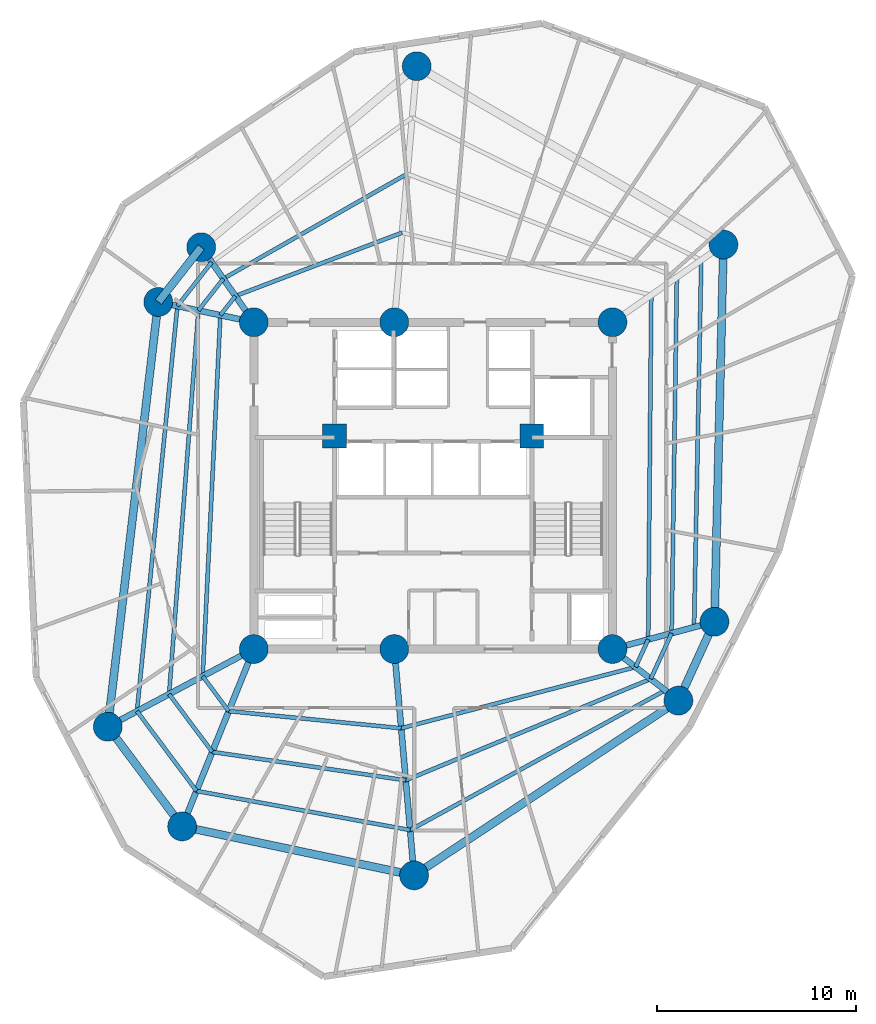
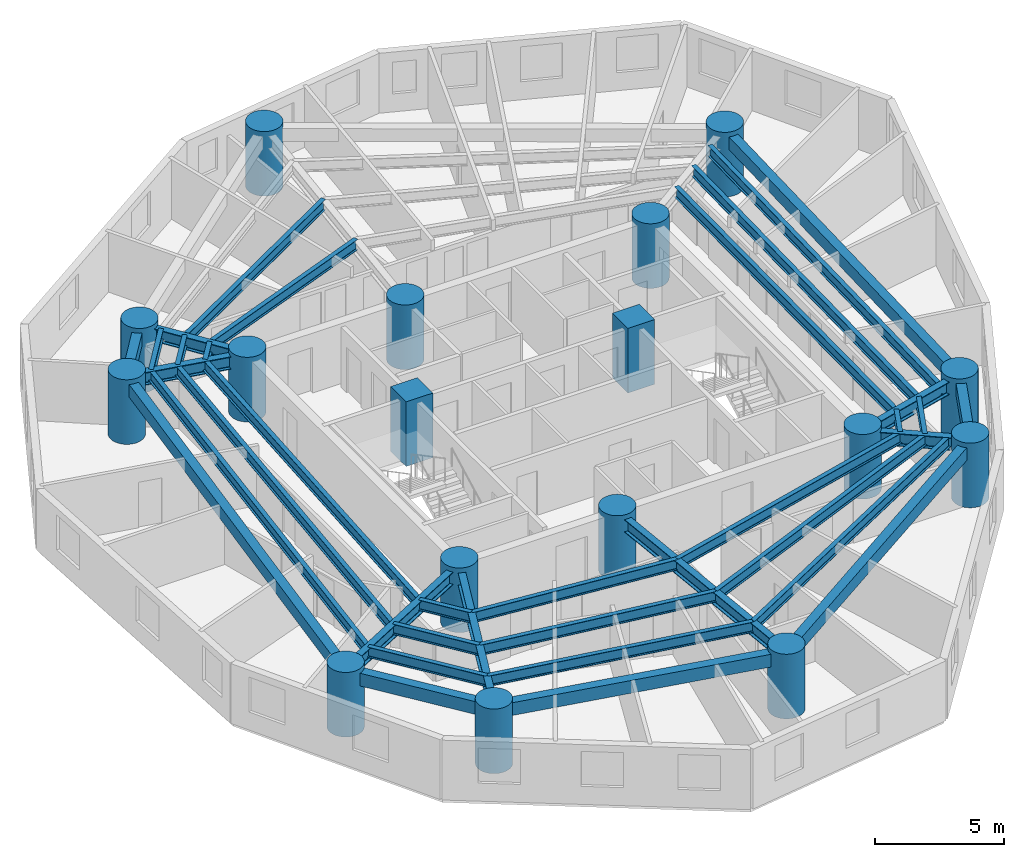
# One storey, part 1 of 8: 36 beams, 17 columns.
"""IFC4 building model written with IfcOpenShell, lengths in metres."""

from ifc_helpers import new_model, si_unit, direction, frame, origin, origin_with_axes, origin_2d, place, context, subcontext, project, spatial, rectangle, circle, i_section, extrude, source, transform, mapped, material, material_profile, profile_set, type_object, element, save


model = new_model("IFC4")

# Units and contexts
model_context = context("Model", 3, precision=1e-05, world=origin(), true_north=direction((0.0, 1.0)))
body_context = subcontext(model_context, "Body", "Model", "MODEL_VIEW")
ifc_project = project(units=[si_unit("LENGTHUNIT", "METRE"), si_unit("AREAUNIT", "SQUARE_METRE"), si_unit("VOLUMEUNIT", "CUBIC_METRE"), si_unit("PLANEANGLEUNIT", "RADIAN"), si_unit("MASSUNIT", "GRAM", prefix="KILO")], contexts=[model_context])

# Site, building, storey
site_placement = place(None, origin())
site = spatial("IfcSite", under=ifc_project, at=site_placement, CompositionType="ELEMENT")
building_placement = place(site_placement, origin())
building = spatial("IfcBuilding", under=site, at=building_placement, Name="Karkom Vertical University and Central Library", CompositionType="ELEMENT")
storey_placement = place(building_placement, frame((0.0, 0.0, 120.60009765625)))
storey = spatial("IfcBuildingStorey", under=building, at=storey_placement, Name="L33", CompositionType="ELEMENT", Elevation=120.60009765625)

# Columns
ifc_material_1 = material(Name="Concrete C50/60", Category="concrete")
ifc_material_profile_1 = material_profile(ifc_material_1, circle(Radius=0.72509765625, at=origin_2d()), Name="CFT-D1450")
ifc_profile_set_1 = profile_set([ifc_material_profile_1], Name="Concrete C50/60")
column_type_1 = type_object("IfcColumnType", Name="STR-COL-C-SC3", PredefinedType="COLUMN", material=ifc_profile_set_1)
shared_shape_1 = source(origin_with_axes(), body_context, "Body", "SweptSolid", [
    extrude(circle(Radius=0.72509765625, at=origin_2d()), origin(), (0.0, 0.0, 1.0), 3.0498046875),
])
for number, where, z_axis, x_axis, name in (
    (1, (19.5, 18.300048828125, 0.0), (0.0, 0.0, 1.0), (1.0, 0.0, 0.0), "Level 33 Spine Mega-Column SC-1"),
    (2, (26.550048828125, 18.300048828125, 0.0), (0.0, 0.0, 1.0), (1.0, 0.0, 0.0), "Level 33 Spine Mega-Column SC-2"),
    (3, (37.5, 18.300048828125, 0.0), (0.0, 0.0, 1.0), (1.0, 0.0, 0.0), "Level 33 Spine Mega-Column SC-3"),
    (4, (19.5, 34.699951171875, 0.0), (0.0, 0.0, 1.0), (1.0, 0.0, 0.0), "Level 33 Spine Mega-Column SC-4"),
    (5, (26.550048828125, 34.699951171875, 0.0), (0.0, 0.0, 1.0), (1.0, 0.0, 0.0), "Level 33 Spine Mega-Column SC-5"),
    (6, (37.5, 34.699951171875, 0.0), (0.0, 0.0, 1.0), (1.0, 0.0, 0.0), "Level 33 Spine Mega-Column SC-6"),
    (7, (42.618896484375, 19.672119140625, 0.0), (0.0, 0.0, 1.0), (1.0, 0.0, 0.0), "Level 33 Perimeter Mega-Column Z2-PC1"),
    (8, (43.070068359375, 38.60009765625, 0.0), (0.0, 0.0, 1.0), (1.0, 0.0, 0.0), "Level 33 Perimeter Mega-Column Z2-PC2"),
    (9, (27.674072265625, 47.551025390625, 0.0), (0.0, 0.0, 1.0), (1.0, 0.0, 0.0), "Level 33 Perimeter Mega-Column Z2-PC3"),
    (10, (16.862060546875, 38.468017578125, 0.0), (0.0, 0.0, 1.0), (1.0, 0.0, 0.0), "Level 33 Perimeter Mega-Column Z2-PC4"),
    (11, (14.70703125, 35.718994140625, 0.0), (0.0, 0.0, 1.0), (1.0, 0.0, 0.0), "Level 33 Perimeter Mega-Column Z2-PC5"),
    (12, (12.172119140625, 14.403076171875, 0.0), (0.0, 0.0, 1.0), (1.0, 0.0, 0.0), "Level 33 Perimeter Mega-Column Z2-PC6"),
    (13, (15.904052734375, 9.39892578125, 0.0), (0.0, 0.0, 1.0), (1.0, 0.0, 0.0), "Level 33 Perimeter Mega-Column Z2-PC7"),
    (14, (27.5439453125, 6.943115234375, 0.0), (0.0, 0.0, 1.0), (1.0, 0.0, 0.0), "Level 33 Perimeter Mega-Column Z2-PC8"),
    (15, (40.81005859375, 15.714111328125, 0.0), (0.0, 0.0, 1.0), (1.0, 0.0, 0.0), "Level 33 Perimeter Mega-Column Z2-PC9"),
):
    element("IfcColumn", number, at=place(storey_placement, frame(where, z_axis=z_axis, x_axis=x_axis)), inside=storey, type_object=column_type_1, Name=name, PredefinedType="COLUMN", context=body_context, shape_type="MappedRepresentation", body=[
        mapped(shared_shape_1, transform((0.0, 0.0, 0.0), scale=1.0)),
    ])
ifc_material_profile_2 = material_profile(ifc_material_1, rectangle(XDim=1.199951171875, YDim=1.199951171875, at=origin_2d()), Name="RC-1200x1200")
ifc_profile_set_2 = profile_set([ifc_material_profile_2], Name="Concrete C50/60")
column_type_2 = type_object("IfcColumnType", Name="STR-COL-C-CC1", PredefinedType="COLUMN", material=ifc_profile_set_2)
shared_shape_2 = source(origin_with_axes(), body_context, "Body", "SweptSolid", [
    extrude(rectangle(XDim=1.199951171875, YDim=1.199951171875, at=origin_2d()), origin(), (0.0, 0.0, 1.0), 3.0498046875),
])
for number, where, z_axis, x_axis, name in (
    (16, (23.550048828125, 29.0, 0.0), (0.0, 0.0, 1.0), (1.0, 0.0, 0.0), "Level 33 Core Node Column CC-1"),
    (17, (33.449951171875, 29.0, 0.0), (0.0, 0.0, 1.0), (1.0, 0.0, 0.0), "Level 33 Core Node Column CC-2"),
):
    element("IfcColumn", number, at=place(storey_placement, frame(where, z_axis=z_axis, x_axis=x_axis)), inside=storey, type_object=column_type_2, Name=name, PredefinedType="COLUMN", context=body_context, shape_type="MappedRepresentation", body=[
        mapped(shared_shape_2, transform((0.0, 0.0, 0.0), scale=1.0)),
    ])

# Beams
ifc_material_2 = material(Name="Precast concrete C45/55", Category="concrete")
ifc_material_profile_3 = material_profile(ifc_material_2, rectangle(XDim=0.39990234375, YDim=0.60009765625, at=origin_2d()), Name="SPB-400x600")
ifc_profile_set_3 = profile_set([ifc_material_profile_3], Name="Precast concrete C45/55")
beam_type_1 = type_object("IfcBeamType", Name="STR-BM-SP-1", PredefinedType="SPANDREL", material=ifc_profile_set_3)
shared_shape_3 = source(origin_with_axes(), body_context, "Body", "SweptSolid", [
    extrude(rectangle(XDim=0.39990234375, YDim=0.60009765625, at=origin_2d()), origin(), (0.0, 0.0, 1.0), 18.933349609375),
])
beam_1_placement = place(storey_placement, frame((42.618896484375, 19.672119140625, 2.52490234375), z_axis=(0.02382947333, 0.999716037783, 0.0), x_axis=(-0.999716037783, 0.02382947333, 0.0)))
element("IfcBeam", 18, at=beam_1_placement, inside=storey, type_object=beam_type_1, Name="Level 33 Perimeter Spandrel Beam 01", PredefinedType="SPANDREL", context=body_context, shape_type="MappedRepresentation", body=[
    mapped(shared_shape_3, transform((0.0, 0.0, 0.0), scale=1.0)),
])
shared_shape_4 = source(origin_with_axes(), body_context, "Body", "SweptSolid", [
    extrude(rectangle(XDim=0.39990234375, YDim=0.60009765625, at=origin_2d()), origin(), (0.0, 0.0, 1.0), 3.492919921875),
])
beam_2_placement = place(storey_placement, frame((16.862060546875, 38.468017578125, 2.52490234375), z_axis=(-0.616950700538, -0.787001799938, 0.0), x_axis=(0.787001799938, -0.616950700538, 0.0)))
element("IfcBeam", 19, at=beam_2_placement, inside=storey, type_object=beam_type_1, Name="Level 33 Perimeter Spandrel Beam 04", PredefinedType="SPANDREL", context=body_context, shape_type="MappedRepresentation", body=[
    mapped(shared_shape_4, transform((0.0, 0.0, 0.0), scale=1.0)),
])
shared_shape_5 = source(origin_with_axes(), body_context, "Body", "SweptSolid", [
    extrude(rectangle(XDim=0.39990234375, YDim=0.60009765625, at=origin_2d()), origin(), (0.0, 0.0, 1.0), 21.466064453125),
])
beam_3_placement = place(storey_placement, frame((14.70703125, 35.718994140625, 2.52490234375), z_axis=(-0.118088996795, -0.993003015522, 0.0), x_axis=(0.993003015522, -0.118088996795, 0.0)))
element("IfcBeam", 20, at=beam_3_placement, inside=storey, type_object=beam_type_1, Name="Level 33 Perimeter Spandrel Beam 05", PredefinedType="SPANDREL", context=body_context, shape_type="MappedRepresentation", body=[
    mapped(shared_shape_5, transform((0.0, 0.0, 0.0), scale=1.0)),
])
shared_shape_6 = source(origin_with_axes(), body_context, "Body", "SweptSolid", [
    extrude(rectangle(XDim=0.39990234375, YDim=0.60009765625, at=origin_2d()), origin(), (0.0, 0.0, 1.0), 6.242431640625),
])
beam_4_placement = place(storey_placement, frame((12.172119140625, 14.403076171875, 2.52490234375), z_axis=(0.59782643552, -0.801625569074, 0.0), x_axis=(0.801625569074, 0.59782643552, 0.0)))
element("IfcBeam", 21, at=beam_4_placement, inside=storey, type_object=beam_type_1, Name="Level 33 Perimeter Spandrel Beam 06", PredefinedType="SPANDREL", context=body_context, shape_type="MappedRepresentation", body=[
    mapped(shared_shape_6, transform((0.0, 0.0, 0.0), scale=1.0)),
])
shared_shape_7 = source(origin_with_axes(), body_context, "Body", "SweptSolid", [
    extrude(rectangle(XDim=0.39990234375, YDim=0.60009765625, at=origin_2d()), origin(), (0.0, 0.0, 1.0), 11.896240234375),
])
beam_5_placement = place(storey_placement, frame((15.904052734375, 9.39892578125, 2.52490234375), z_axis=(0.978459762135, -0.206437627101, 0.0), x_axis=(0.206437627101, 0.978459762135, 0.0)))
element("IfcBeam", 22, at=beam_5_placement, inside=storey, type_object=beam_type_1, Name="Level 33 Perimeter Spandrel Beam 07", PredefinedType="SPANDREL", context=body_context, shape_type="MappedRepresentation", body=[
    mapped(shared_shape_7, transform((0.0, 0.0, 0.0), scale=1.0)),
])
shared_shape_8 = source(origin_with_axes(), body_context, "Body", "SweptSolid", [
    extrude(rectangle(XDim=0.39990234375, YDim=0.60009765625, at=origin_2d()), origin(), (0.0, 0.0, 1.0), 15.903564453125),
])
beam_6_placement = place(storey_placement, frame((27.5439453125, 6.943115234375, 2.52490234375), z_axis=(0.834165069331, 0.551514856652, 0.0), x_axis=(-0.551514856652, 0.834165069331, 0.0)))
element("IfcBeam", 23, at=beam_6_placement, inside=storey, type_object=beam_type_1, Name="Level 33 Perimeter Spandrel Beam 08", PredefinedType="SPANDREL", context=body_context, shape_type="MappedRepresentation", body=[
    mapped(shared_shape_8, transform((0.0, 0.0, 0.0), scale=1.0)),
])
shared_shape_9 = source(origin_with_axes(), body_context, "Body", "SweptSolid", [
    extrude(rectangle(XDim=0.39990234375, YDim=0.60009765625, at=origin_2d()), origin(), (0.0, 0.0, 1.0), 4.351806640625),
])
beam_7_placement = place(storey_placement, frame((40.81005859375, 15.714111328125, 2.52490234375), z_axis=(0.415657668422, 0.909521139217, 0.0), x_axis=(-0.909521139217, 0.415657668422, 0.0)))
element("IfcBeam", 24, at=beam_7_placement, inside=storey, type_object=beam_type_1, Name="Level 33 Perimeter Spandrel Beam 09", PredefinedType="SPANDREL", context=body_context, shape_type="MappedRepresentation", body=[
    mapped(shared_shape_9, transform((0.0, 0.0, 0.0), scale=1.0)),
])
ifc_material_3 = material(Name="Steel S355", Category="steel")
ifc_material_profile_4 = material_profile(ifc_material_3, i_section(OverallWidth=0.199951171875, OverallDepth=0.5, WebThickness=0.01025390625, FlangeThickness=0.01611328125, FilletRadius=0.02099609375, at=origin_2d()), Name="IPE 500")
ifc_profile_set_4 = profile_set([ifc_material_profile_4], Name="Steel S355")
beam_type_2 = type_object("IfcBeamType", Name="STR-BM-SB-IPE500", PredefinedType="BEAM", material=ifc_profile_set_4)
shared_shape_10 = source(origin_with_axes(), body_context, "Body", "SweptSolid", [
    extrude(i_section(OverallWidth=0.199951171875, OverallDepth=0.5, WebThickness=0.01025390625, FlangeThickness=0.01611328125, FilletRadius=0.02099609375, at=origin_2d()), origin(), (0.0, 0.0, 1.0), 17.285400390625),
])
beam_8_placement = place(storey_placement, frame((39.29150390625, 18.7802734375, 2.574951171875), z_axis=(0.009138294648, 0.999958244914, 0.0), x_axis=(-0.999958244914, 0.009138294648, 0.0)))
element("IfcBeam", 25, at=beam_8_placement, inside=storey, type_object=beam_type_2, Name="Level 33 Secondary Composite Floor Beam 1.01", PredefinedType="BEAM", context=body_context, shape_type="MappedRepresentation", body=[
    mapped(shared_shape_10, transform((0.0, 0.0, 0.0), scale=1.0)),
])
shared_shape_11 = source(origin_with_axes(), body_context, "Body", "SweptSolid", [
    extrude(i_section(OverallWidth=0.199951171875, OverallDepth=0.5, WebThickness=0.01025390625, FlangeThickness=0.01611328125, FilletRadius=0.02099609375, at=origin_2d()), origin(), (0.0, 0.0, 1.0), 8.950439453125),
])
beam_9_placement = place(storey_placement, frame((26.943359375, 39.197998046875, 2.574951171875), z_axis=(-0.93478901494, -0.355203459368, 0.0), x_axis=(0.355203459368, -0.93478901494, 0.0)))
element("IfcBeam", 26, at=beam_9_placement, inside=storey, type_object=beam_type_2, Name="Level 33 Secondary Composite Floor Beam 1.03", PredefinedType="BEAM", context=body_context, shape_type="MappedRepresentation", body=[
    mapped(shared_shape_11, transform((0.0, 0.0, 0.0), scale=1.0)),
])
shared_shape_12 = source(origin_with_axes(), body_context, "Body", "SweptSolid", [
    extrude(i_section(OverallWidth=0.199951171875, OverallDepth=0.5, WebThickness=0.01025390625, FlangeThickness=0.01611328125, FilletRadius=0.02099609375, at=origin_2d()), origin(), (0.0, 0.0, 1.0), 1.222412109375),
])
beam_10_placement = place(storey_placement, frame((18.57666015625, 36.018798828125, 2.574951171875), z_axis=(-0.616895037184, -0.787045432677, 0.0), x_axis=(0.787045432677, -0.616895037184, 0.0)))
element("IfcBeam", 27, at=beam_10_placement, inside=storey, type_object=beam_type_2, Name="Level 33 Secondary Composite Floor Beam 1.04", PredefinedType="BEAM", context=body_context, shape_type="MappedRepresentation", body=[
    mapped(shared_shape_12, transform((0.0, 0.0, 0.0), scale=1.0)),
])
shared_shape_13 = source(origin_with_axes(), body_context, "Body", "SweptSolid", [
    extrude(i_section(OverallWidth=0.199951171875, OverallDepth=0.5, WebThickness=0.01025390625, FlangeThickness=0.01611328125, FilletRadius=0.02099609375, at=origin_2d()), origin(), (0.0, 0.0, 1.0), 18.142333984375),
])
beam_11_placement = place(storey_placement, frame((17.822509765625, 35.056640625, 2.574951171875), z_axis=(-0.048902644774, -0.998803549921, 0.0), x_axis=(0.998803549921, -0.048902644774, 0.0)))
element("IfcBeam", 28, at=beam_11_placement, inside=storey, type_object=beam_type_2, Name="Level 33 Secondary Composite Floor Beam 1.05", PredefinedType="BEAM", context=body_context, shape_type="MappedRepresentation", body=[
    mapped(shared_shape_13, transform((0.0, 0.0, 0.0), scale=1.0)),
])
shared_shape_14 = source(origin_with_axes(), body_context, "Body", "SweptSolid", [
    extrude(i_section(OverallWidth=0.199951171875, OverallDepth=0.5, WebThickness=0.01025390625, FlangeThickness=0.01611328125, FilletRadius=0.02099609375, at=origin_2d()), origin(), (0.0, 0.0, 1.0), 2.1845703125),
])
beam_12_placement = place(storey_placement, frame((16.935302734375, 16.93603515625, 2.574951171875), z_axis=(0.597870130664, -0.801592980795, 0.0), x_axis=(0.801592980795, 0.597870130664, 0.0)))
element("IfcBeam", 29, at=beam_12_placement, inside=storey, type_object=beam_type_2, Name="Level 33 Secondary Composite Floor Beam 1.06", PredefinedType="BEAM", context=body_context, shape_type="MappedRepresentation", body=[
    mapped(shared_shape_14, transform((0.0, 0.0, 0.0), scale=1.0)),
])
shared_shape_15 = source(origin_with_axes(), body_context, "Body", "SweptSolid", [
    extrude(i_section(OverallWidth=0.199951171875, OverallDepth=0.5, WebThickness=0.01025390625, FlangeThickness=0.01611328125, FilletRadius=0.02099609375, at=origin_2d()), origin(), (0.0, 0.0, 1.0), 8.698974609375),
])
beam_13_placement = place(storey_placement, frame((18.241455078125, 15.184814453125, 2.574951171875), z_axis=(0.995105588045, -0.098817349903, 0.0), x_axis=(0.098817349903, 0.995105588045, 0.0)))
element("IfcBeam", 30, at=beam_13_placement, inside=storey, type_object=beam_type_2, Name="Level 33 Secondary Composite Floor Beam 1.07", PredefinedType="BEAM", context=body_context, shape_type="MappedRepresentation", body=[
    mapped(shared_shape_15, transform((0.0, 0.0, 0.0), scale=1.0)),
])
shared_shape_16 = source(origin_with_axes(), body_context, "Body", "SweptSolid", [
    extrude(i_section(OverallWidth=0.199951171875, OverallDepth=0.5, WebThickness=0.01025390625, FlangeThickness=0.01611328125, FilletRadius=0.02099609375, at=origin_2d()), origin(), (0.0, 0.0, 1.0), 12.154541015625),
])
beam_14_placement = place(storey_placement, frame((26.89794921875, 14.3251953125, 2.574951171875), z_axis=(0.967579719768, 0.252565805077, 0.0), x_axis=(-0.252565805077, 0.967579719768, 0.0)))
element("IfcBeam", 31, at=beam_14_placement, inside=storey, type_object=beam_type_2, Name="Level 33 Secondary Composite Floor Beam 1.08", PredefinedType="BEAM", context=body_context, shape_type="MappedRepresentation", body=[
    mapped(shared_shape_16, transform((0.0, 0.0, 0.0), scale=1.0)),
])
shared_shape_17 = source(origin_with_axes(), body_context, "Body", "SweptSolid", [
    extrude(i_section(OverallWidth=0.199951171875, OverallDepth=0.5, WebThickness=0.01025390625, FlangeThickness=0.01611328125, FilletRadius=0.02099609375, at=origin_2d()), origin(), (0.0, 0.0, 1.0), 1.52294921875),
])
beam_15_placement = place(storey_placement, frame((38.658447265625, 17.39501953125, 2.574951171875), z_axis=(0.415649898107, 0.909524690266, 0.0), x_axis=(-0.909524690266, 0.415649898107, 0.0)))
element("IfcBeam", 32, at=beam_15_placement, inside=storey, type_object=beam_type_2, Name="Level 33 Secondary Composite Floor Beam 1.09", PredefinedType="BEAM", context=body_context, shape_type="MappedRepresentation", body=[
    mapped(shared_shape_17, transform((0.0, 0.0, 0.0), scale=1.0)),
])
shared_shape_18 = source(origin_with_axes(), body_context, "Body", "SweptSolid", [
    extrude(i_section(OverallWidth=0.199951171875, OverallDepth=0.5, WebThickness=0.01025390625, FlangeThickness=0.01611328125, FilletRadius=0.02099609375, at=origin_2d()), origin(), (0.0, 0.0, 1.0), 17.8681640625),
])
beam_16_placement = place(storey_placement, frame((40.468994140625, 19.095703125, 2.574951171875), z_axis=(0.014647239676, 0.999892723431, 0.0), x_axis=(-0.999892723431, 0.014647239676, 0.0)))
element("IfcBeam", 33, at=beam_16_placement, inside=storey, type_object=beam_type_2, Name="Level 33 Secondary Composite Floor Beam 2.01", PredefinedType="BEAM", context=body_context, shape_type="MappedRepresentation", body=[
    mapped(shared_shape_18, transform((0.0, 0.0, 0.0), scale=1.0)),
])
shared_shape_19 = source(origin_with_axes(), body_context, "Body", "SweptSolid", [
    extrude(i_section(OverallWidth=0.199951171875, OverallDepth=0.5, WebThickness=0.01025390625, FlangeThickness=0.01611328125, FilletRadius=0.02099609375, at=origin_2d()), origin(), (0.0, 0.0, 1.0), 10.629150390625),
])
beam_17_placement = place(storey_placement, frame((27.201904296875, 42.153564453125, 2.574951171875), z_axis=(-0.868539813491, -0.495619402748, 0.0), x_axis=(0.495619402748, -0.868539813491, 0.0)))
element("IfcBeam", 34, at=beam_17_placement, inside=storey, type_object=beam_type_2, Name="Level 33 Secondary Composite Floor Beam 2.03", PredefinedType="BEAM", context=body_context, shape_type="MappedRepresentation", body=[
    mapped(shared_shape_19, transform((0.0, 0.0, 0.0), scale=1.0)),
])
shared_shape_20 = source(origin_with_axes(), body_context, "Body", "SweptSolid", [
    extrude(i_section(OverallWidth=0.199951171875, OverallDepth=0.5, WebThickness=0.01025390625, FlangeThickness=0.01611328125, FilletRadius=0.02099609375, at=origin_2d()), origin(), (0.0, 0.0, 1.0), 2.02587890625),
])
beam_18_placement = place(storey_placement, frame((17.969970703125, 36.885498046875, 2.574951171875), z_axis=(-0.616889733535, -0.787049589708, 0.0), x_axis=(0.787049589708, -0.616889733535, 0.0)))
element("IfcBeam", 35, at=beam_18_placement, inside=storey, type_object=beam_type_2, Name="Level 33 Secondary Composite Floor Beam 2.04", PredefinedType="BEAM", context=body_context, shape_type="MappedRepresentation", body=[
    mapped(shared_shape_20, transform((0.0, 0.0, 0.0), scale=1.0)),
])
shared_shape_21 = source(origin_with_axes(), body_context, "Body", "SweptSolid", [
    extrude(i_section(OverallWidth=0.199951171875, OverallDepth=0.5, WebThickness=0.01025390625, FlangeThickness=0.01611328125, FilletRadius=0.02099609375, at=origin_2d()), origin(), (0.0, 0.0, 1.0), 19.307373046875),
])
beam_19_placement = place(storey_placement, frame((16.72021484375, 35.291015625, 2.574951171875), z_axis=(-0.07616078645, -0.997095549387, 0.0), x_axis=(0.997095549387, -0.07616078645, 0.0)))
element("IfcBeam", 36, at=beam_19_placement, inside=storey, type_object=beam_type_2, Name="Level 33 Secondary Composite Floor Beam 2.05", PredefinedType="BEAM", context=body_context, shape_type="MappedRepresentation", body=[
    mapped(shared_shape_21, transform((0.0, 0.0, 0.0), scale=1.0)),
])
shared_shape_22 = source(origin_with_axes(), body_context, "Body", "SweptSolid", [
    extrude(i_section(OverallWidth=0.199951171875, OverallDepth=0.5, WebThickness=0.01025390625, FlangeThickness=0.01611328125, FilletRadius=0.02099609375, at=origin_2d()), origin(), (0.0, 0.0, 1.0), 3.62060546875),
])
beam_20_placement = place(storey_placement, frame((15.249755859375, 16.039794921875, 2.574951171875), z_axis=(0.59784003707, -0.801615425298, 0.0), x_axis=(0.801615425298, 0.59784003707, 0.0)))
element("IfcBeam", 37, at=beam_20_placement, inside=storey, type_object=beam_type_2, Name="Level 33 Secondary Composite Floor Beam 2.06", PredefinedType="BEAM", context=body_context, shape_type="MappedRepresentation", body=[
    mapped(shared_shape_22, transform((0.0, 0.0, 0.0), scale=1.0)),
])
shared_shape_23 = source(origin_with_axes(), body_context, "Body", "SweptSolid", [
    extrude(i_section(OverallWidth=0.199951171875, OverallDepth=0.5, WebThickness=0.01025390625, FlangeThickness=0.01611328125, FilletRadius=0.02099609375, at=origin_2d()), origin(), (0.0, 0.0, 1.0), 9.816162109375),
])
beam_21_placement = place(storey_placement, frame((17.414306640625, 13.137451171875, 2.574951171875), z_axis=(0.989413295367, -0.145125225069, 0.0), x_axis=(0.145125225069, 0.989413295367, 0.0)))
element("IfcBeam", 38, at=beam_21_placement, inside=storey, type_object=beam_type_2, Name="Level 33 Secondary Composite Floor Beam 2.07", PredefinedType="BEAM", context=body_context, shape_type="MappedRepresentation", body=[
    mapped(shared_shape_23, transform((0.0, 0.0, 0.0), scale=1.0)),
])
shared_shape_24 = source(origin_with_axes(), body_context, "Body", "SweptSolid", [
    extrude(i_section(OverallWidth=0.199951171875, OverallDepth=0.5, WebThickness=0.01025390625, FlangeThickness=0.01611328125, FilletRadius=0.02099609375, at=origin_2d()), origin(), (0.0, 0.0, 1.0), 13.304443359375),
])
beam_22_placement = place(storey_placement, frame((27.12646484375, 11.712890625, 2.574951171875), z_axis=(0.924011243398, 0.382365299255, 0.0), x_axis=(-0.382365299255, 0.924011243398, 0.0)))
element("IfcBeam", 39, at=beam_22_placement, inside=storey, type_object=beam_type_2, Name="Level 33 Secondary Composite Floor Beam 2.08", PredefinedType="BEAM", context=body_context, shape_type="MappedRepresentation", body=[
    mapped(shared_shape_24, transform((0.0, 0.0, 0.0), scale=1.0)),
])
shared_shape_25 = source(origin_with_axes(), body_context, "Body", "SweptSolid", [
    extrude(i_section(OverallWidth=0.199951171875, OverallDepth=0.5, WebThickness=0.01025390625, FlangeThickness=0.01611328125, FilletRadius=0.02099609375, at=origin_2d()), origin(), (0.0, 0.0, 1.0), 2.52392578125),
])
beam_23_placement = place(storey_placement, frame((39.419921875, 16.800048828125, 2.574951171875), z_axis=(0.415638602127, 0.909529852408, 0.0), x_axis=(-0.909529852408, 0.415638602127, 0.0)))
element("IfcBeam", 40, at=beam_23_placement, inside=storey, type_object=beam_type_2, Name="Level 33 Secondary Composite Floor Beam 2.09", PredefinedType="BEAM", context=body_context, shape_type="MappedRepresentation", body=[
    mapped(shared_shape_25, transform((0.0, 0.0, 0.0), scale=1.0)),
])
shared_shape_26 = source(origin_with_axes(), body_context, "Body", "SweptSolid", [
    extrude(i_section(OverallWidth=0.199951171875, OverallDepth=0.5, WebThickness=0.01025390625, FlangeThickness=0.01611328125, FilletRadius=0.02099609375, at=origin_2d()), origin(), (0.0, 0.0, 1.0), 18.42578125),
])
beam_24_placement = place(storey_placement, frame((41.59521484375, 19.397705078125, 2.574951171875), z_axis=(0.019583298818, 0.999808228816, 0.0), x_axis=(-0.999808228816, 0.019583298818, 0.0)))
element("IfcBeam", 41, at=beam_24_placement, inside=storey, type_object=beam_type_2, Name="Level 33 Secondary Composite Floor Beam 3.01", PredefinedType="BEAM", context=body_context, shape_type="MappedRepresentation", body=[
    mapped(shared_shape_26, transform((0.0, 0.0, 0.0), scale=1.0)),
])
shared_shape_27 = source(origin_with_axes(), body_context, "Body", "SweptSolid", [
    extrude(i_section(OverallWidth=0.199951171875, OverallDepth=0.5, WebThickness=0.01025390625, FlangeThickness=0.01611328125, FilletRadius=0.02099609375, at=origin_2d()), origin(), (0.0, 0.0, 1.0), 2.79443359375),
])
beam_25_placement = place(storey_placement, frame((17.3896484375, 37.71435546875, 2.574951171875), z_axis=(-0.616972344898, -0.786984831894, 0.0), x_axis=(0.786984831894, -0.616972344898, 0.0)))
element("IfcBeam", 42, at=beam_25_placement, inside=storey, type_object=beam_type_2, Name="Level 33 Secondary Composite Floor Beam 3.04", PredefinedType="BEAM", context=body_context, shape_type="MappedRepresentation", body=[
    mapped(shared_shape_27, transform((0.0, 0.0, 0.0), scale=1.0)),
])
shared_shape_28 = source(origin_with_axes(), body_context, "Body", "SweptSolid", [
    extrude(i_section(OverallWidth=0.199951171875, OverallDepth=0.5, WebThickness=0.01025390625, FlangeThickness=0.01611328125, FilletRadius=0.02099609375, at=origin_2d()), origin(), (0.0, 0.0, 1.0), 20.43359375),
])
beam_26_placement = place(storey_placement, frame((15.66552734375, 35.51513671875, 2.574951171875), z_axis=(-0.099239913611, -0.995063535432, 0.0), x_axis=(0.995063535432, -0.099239913611, 0.0)))
element("IfcBeam", 43, at=beam_26_placement, inside=storey, type_object=beam_type_2, Name="Level 33 Secondary Composite Floor Beam 3.05", PredefinedType="BEAM", context=body_context, shape_type="MappedRepresentation", body=[
    mapped(shared_shape_28, transform((0.0, 0.0, 0.0), scale=1.0)),
])
shared_shape_29 = source(origin_with_axes(), body_context, "Body", "SweptSolid", [
    extrude(i_section(OverallWidth=0.199951171875, OverallDepth=0.5, WebThickness=0.01025390625, FlangeThickness=0.01611328125, FilletRadius=0.02099609375, at=origin_2d()), origin(), (0.0, 0.0, 1.0), 4.993896484375),
])
beam_27_placement = place(storey_placement, frame((13.6376953125, 15.182373046875, 2.574951171875), z_axis=(0.597846775537, -0.801610399745, 0.0), x_axis=(0.801610399745, 0.597846775537, 0.0)))
element("IfcBeam", 44, at=beam_27_placement, inside=storey, type_object=beam_type_2, Name="Level 33 Secondary Composite Floor Beam 3.06", PredefinedType="BEAM", context=body_context, shape_type="MappedRepresentation", body=[
    mapped(shared_shape_29, transform((0.0, 0.0, 0.0), scale=1.0)),
])
shared_shape_30 = source(origin_with_axes(), body_context, "Body", "SweptSolid", [
    extrude(i_section(OverallWidth=0.199951171875, OverallDepth=0.5, WebThickness=0.01025390625, FlangeThickness=0.01611328125, FilletRadius=0.02099609375, at=origin_2d()), origin(), (0.0, 0.0, 1.0), 10.900390625),
])
beam_28_placement = place(storey_placement, frame((16.623291015625, 11.17919921875, 2.574951171875), z_axis=(0.98362026014, -0.180253110495, 0.0), x_axis=(0.180253110495, 0.98362026014, 0.0)))
element("IfcBeam", 45, at=beam_28_placement, inside=storey, type_object=beam_type_2, Name="Level 33 Secondary Composite Floor Beam 3.07", PredefinedType="BEAM", context=body_context, shape_type="MappedRepresentation", body=[
    mapped(shared_shape_30, transform((0.0, 0.0, 0.0), scale=1.0)),
])
shared_shape_31 = source(origin_with_axes(), body_context, "Body", "SweptSolid", [
    extrude(i_section(OverallWidth=0.199951171875, OverallDepth=0.5, WebThickness=0.01025390625, FlangeThickness=0.01611328125, FilletRadius=0.02099609375, at=origin_2d()), origin(), (0.0, 0.0, 1.0), 14.599609375),
])
beam_29_placement = place(storey_placement, frame((27.34521484375, 9.21435546875, 2.574951171875), z_axis=(0.876928143127, 0.480621505752, 0.0), x_axis=(-0.480621505752, 0.876928143127, 0.0)))
element("IfcBeam", 46, at=beam_29_placement, inside=storey, type_object=beam_type_2, Name="Level 33 Secondary Composite Floor Beam 3.08", PredefinedType="BEAM", context=body_context, shape_type="MappedRepresentation", body=[
    mapped(shared_shape_31, transform((0.0, 0.0, 0.0), scale=1.0)),
])
ifc_material_profile_5 = material_profile(ifc_material_3, i_section(OverallWidth=0.300048828125, OverallDepth=0.60009765625, WebThickness=0.015380859375, FlangeThickness=0.030029296875, FilletRadius=0.027099609375, at=origin_2d()), Name="HE 600 B")
ifc_profile_set_5 = profile_set([ifc_material_profile_5], Name="Steel S355")
beam_type_3 = type_object("IfcBeamType", Name="STR-BM-SB-HE600", PredefinedType="USERDEFINED", material=ifc_profile_set_5)
shared_shape_32 = source(origin_with_axes(), body_context, "Body", "SweptSolid", [
    extrude(i_section(OverallWidth=0.300048828125, OverallDepth=0.60009765625, WebThickness=0.015380859375, FlangeThickness=0.030029296875, FilletRadius=0.027099609375, at=origin_2d()), origin(), (0.0, 0.0, 1.0), 5.299560546875),
])
beam_30_placement = place(storey_placement, frame((37.5, 18.300048828125, 2.52490234375), z_axis=(0.965903833688, 0.258901108663, 0.0), x_axis=(-0.258901108663, 0.965903833688, 0.0)))
element("IfcBeam", 47, at=beam_30_placement, inside=storey, type_object=beam_type_3, Name="Level 33 Radial Frame Girder 01", ObjectType="GIRDER", PredefinedType="USERDEFINED", context=body_context, shape_type="MappedRepresentation", body=[
    mapped(shared_shape_32, transform((0.0, 0.0, 0.0), scale=1.0)),
])
shared_shape_33 = source(origin_with_axes(), body_context, "Body", "SweptSolid", [
    extrude(i_section(OverallWidth=0.300048828125, OverallDepth=0.60009765625, WebThickness=0.015380859375, FlangeThickness=0.030029296875, FilletRadius=0.027099609375, at=origin_2d()), origin(), (0.0, 0.0, 1.0), 4.599609375),
])
beam_31_placement = place(storey_placement, frame((19.5, 34.699951171875, 2.52490234375), z_axis=(-0.573505090764, 0.819201996377, 0.0), x_axis=(-0.819201996377, -0.573505090764, 0.0)))
element("IfcBeam", 48, at=beam_31_placement, inside=storey, type_object=beam_type_3, Name="Level 33 Radial Frame Girder 04", ObjectType="GIRDER", PredefinedType="USERDEFINED", context=body_context, shape_type="MappedRepresentation", body=[
    mapped(shared_shape_33, transform((0.0, 0.0, 0.0), scale=1.0)),
])
shared_shape_34 = source(origin_with_axes(), body_context, "Body", "SweptSolid", [
    extrude(i_section(OverallWidth=0.300048828125, OverallDepth=0.60009765625, WebThickness=0.015380859375, FlangeThickness=0.030029296875, FilletRadius=0.027099609375, at=origin_2d()), origin(), (0.0, 0.0, 1.0), 4.900146484375),
])
beam_32_placement = place(storey_placement, frame((19.5, 34.699951171875, 2.52490234375), z_axis=(-0.978136559131, 0.207963630695, 0.0), x_axis=(-0.207963630695, -0.978136559131, 0.0)))
element("IfcBeam", 49, at=beam_32_placement, inside=storey, type_object=beam_type_3, Name="Level 33 Radial Frame Girder 05", ObjectType="GIRDER", PredefinedType="USERDEFINED", context=body_context, shape_type="MappedRepresentation", body=[
    mapped(shared_shape_34, transform((0.0, 0.0, 0.0), scale=1.0)),
])
shared_shape_35 = source(origin_with_axes(), body_context, "Body", "SweptSolid", [
    extrude(i_section(OverallWidth=0.300048828125, OverallDepth=0.60009765625, WebThickness=0.015380859375, FlangeThickness=0.030029296875, FilletRadius=0.027099609375, at=origin_2d()), origin(), (0.0, 0.0, 1.0), 8.299560546875),
])
beam_33_placement = place(storey_placement, frame((19.5, 18.300048828125, 2.52490234375), z_axis=(-0.882914163564, -0.469534428746, 0.0), x_axis=(0.469534428746, -0.882914163564, 0.0)))
element("IfcBeam", 50, at=beam_33_placement, inside=storey, type_object=beam_type_3, Name="Level 33 Radial Frame Girder 06", ObjectType="GIRDER", PredefinedType="USERDEFINED", context=body_context, shape_type="MappedRepresentation", body=[
    mapped(shared_shape_35, transform((0.0, 0.0, 0.0), scale=1.0)),
])
shared_shape_36 = source(origin_with_axes(), body_context, "Body", "SweptSolid", [
    extrude(i_section(OverallWidth=0.300048828125, OverallDepth=0.60009765625, WebThickness=0.015380859375, FlangeThickness=0.030029296875, FilletRadius=0.027099609375, at=origin_2d()), origin(), (0.0, 0.0, 1.0), 9.60009765625),
])
beam_34_placement = place(storey_placement, frame((19.5, 18.300048828125, 2.52490234375), z_axis=(-0.374576157034, -0.927196151082, 0.0), x_axis=(0.927196151082, -0.374576157034, 0.0)))
element("IfcBeam", 51, at=beam_34_placement, inside=storey, type_object=beam_type_3, Name="Level 33 Radial Frame Girder 07", ObjectType="GIRDER", PredefinedType="USERDEFINED", context=body_context, shape_type="MappedRepresentation", body=[
    mapped(shared_shape_36, transform((0.0, 0.0, 0.0), scale=1.0)),
])
shared_shape_37 = source(origin_with_axes(), body_context, "Body", "SweptSolid", [
    extrude(i_section(OverallWidth=0.300048828125, OverallDepth=0.60009765625, WebThickness=0.015380859375, FlangeThickness=0.030029296875, FilletRadius=0.027099609375, at=origin_2d()), origin(), (0.0, 0.0, 1.0), 11.400390625),
])
beam_35_placement = place(storey_placement, frame((26.550048828125, 18.300048828125, 2.52490234375), z_axis=(0.087181295702, -0.996192462168, 0.0), x_axis=(0.996192462168, 0.087181295702, 0.0)))
element("IfcBeam", 52, at=beam_35_placement, inside=storey, type_object=beam_type_3, Name="Level 33 Radial Frame Girder 08", ObjectType="GIRDER", PredefinedType="USERDEFINED", context=body_context, shape_type="MappedRepresentation", body=[
    mapped(shared_shape_37, transform((0.0, 0.0, 0.0), scale=1.0)),
])
shared_shape_38 = source(origin_with_axes(), body_context, "Body", "SweptSolid", [
    extrude(i_section(OverallWidth=0.300048828125, OverallDepth=0.60009765625, WebThickness=0.015380859375, FlangeThickness=0.030029296875, FilletRadius=0.027099609375, at=origin_2d()), origin(), (0.0, 0.0, 1.0), 4.200439453125),
])
beam_36_placement = place(storey_placement, frame((37.5, 18.300048828125, 2.52490234375), z_axis=(0.788029660796, -0.615637274461, 0.0), x_axis=(0.615637274461, 0.788029660796, 0.0)))
element("IfcBeam", 53, at=beam_36_placement, inside=storey, type_object=beam_type_3, Name="Level 33 Radial Frame Girder 09", ObjectType="GIRDER", PredefinedType="USERDEFINED", context=body_context, shape_type="MappedRepresentation", body=[
    mapped(shared_shape_38, transform((0.0, 0.0, 0.0), scale=1.0)),
])

save(model, "model.ifc")
